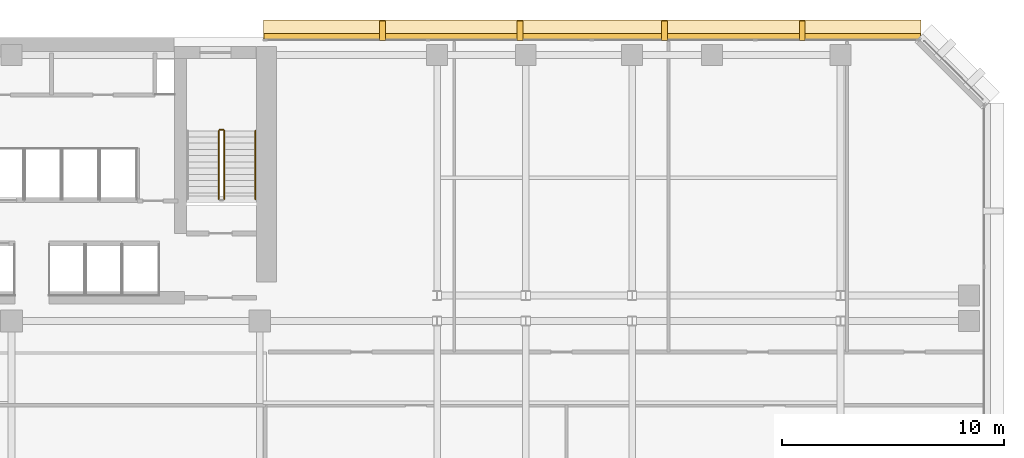
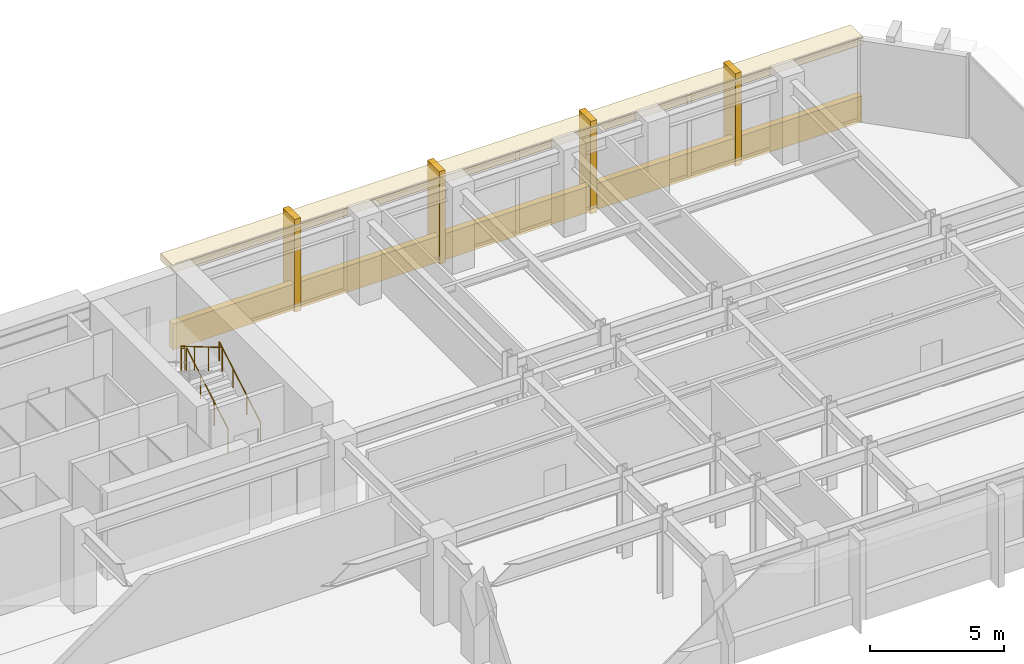
# One storey, part 12 of 13: 6 coverings, 4 railings.
"""IFC4 building model written with IfcOpenShell, lengths in metres."""

from ifc_helpers import new_model, si_unit, direction, frame, origin, origin_2d, place, context, subcontext, project, spatial, rectangle, circle, extrude, material, layer, layer_set, type_object, element, save


model = new_model("IFC4")

# Units and contexts
model_context = context("Model", 3, precision=1e-05, world=origin(), true_north=direction((0.0, 1.0)))
body_context = subcontext(model_context, "Body", "Model", "MODEL_VIEW")
ifc_project = project(units=[si_unit("LENGTHUNIT", "METRE"), si_unit("AREAUNIT", "SQUARE_METRE"), si_unit("VOLUMEUNIT", "CUBIC_METRE"), si_unit("PLANEANGLEUNIT", "RADIAN"), si_unit("MASSUNIT", "GRAM", prefix="KILO")], contexts=[model_context])

# Site, building, storey
site_placement = place(None, origin())
site = spatial("IfcSite", under=ifc_project, at=site_placement, CompositionType="ELEMENT")
building_placement = place(site_placement, origin())
building = spatial("IfcBuilding", under=site, at=building_placement, Name="Kefirva Bronze Tower", CompositionType="ELEMENT")
storey_placement = place(building_placement, frame((0.0, 0.0, 98.669921875)))
storey = spatial("IfcBuildingStorey", under=building, at=storey_placement, Name="L23", CompositionType="ELEMENT", Elevation=98.669921875)

# Covering
ifc_material_1 = material(Name="Bronze anodised aluminium", Category="aluminium")
ifc_layer_1 = layer(ifc_material_1, 0.02001953125, Name="Bronze anodised aluminium")
ifc_layer_set_1 = layer_set([ifc_layer_1], Name="Bronze anodised aluminium")
covering_type_1 = type_object("IfcCoveringType", Name="Anodised Bronze Spandrel Cladding 20mm", PredefinedType="CLADDING", material=ifc_layer_set_1)
covering_1_placement = place(storey_placement, frame((38.202392578125, 46.0400390625, -0.15966796875), z_axis=(0.0, 0.0, 1.0), x_axis=(-1.0, 0.0, 0.0)))
element("IfcCovering", 1, at=covering_1_placement, inside=storey, type_object=covering_type_1, Name="L23 Streamline Horizontal Spandrel Band 8", PredefinedType="CLADDING", context=body_context, shape_type="SweptSolid", body=[
    extrude(rectangle(XDim=29.635009765625, YDim=0.280029296875, at=origin_2d()), origin(), (0.0, 0.0, 1.0), 1.179931640625),
])

# Railings
ifc_material_2 = material(Name="Stainless steel 316", Category="steel")
railing_type_1 = type_object("IfcRailingType", Name="Interior Stair Guardrail 1100mm", PredefinedType="GUARDRAIL", material=ifc_material_2)
railing_1_placement = place(storey_placement, frame((21.60009765625, 38.699951171875, 0.1650390625)))
element("IfcRailing", 2, at=railing_1_placement, inside=storey, type_object=railing_type_1, Name="L23 ST-2 stair guard 1", PredefinedType="GUARDRAIL", context=body_context, shape_type="SweptSolid", body=[
    extrude(circle(Radius=0.02392578125, at=origin_2d()), frame((0.0, 0.0, 1.076171875), z_axis=(0.0, 0.861551262678, 0.507670583921), x_axis=(-1.0, 0.0, 0.0)), (0.0, 0.0, 1.0), 3.574951171875),
    extrude(circle(Radius=0.02099609375, at=origin_2d()), origin(), (0.0, 0.0, 1.0), 1.052001953125),
    extrude(circle(Radius=0.02099609375, at=origin_2d()), frame((0.0, 1.026611328125, 0.60498046875)), (0.0, 0.0, 1.0), 1.052001953125),
    extrude(circle(Radius=0.02099609375, at=origin_2d()), frame((0.0, 2.053466796875, 1.2099609375)), (0.0, 0.0, 1.0), 1.052001953125),
    extrude(circle(Radius=0.02099609375, at=origin_2d()), frame((0.0, 3.080078125, 1.81494140625)), (0.0, 0.0, 1.0), 1.052001953125),
])
railing_2_placement = place(storey_placement, frame((21.550048828125, 41.830078125, 1.97998046875)))
element("IfcRailing", 3, at=railing_2_placement, inside=storey, type_object=railing_type_1, Name="L23 ST-2 stair guard 2", PredefinedType="GUARDRAIL", context=body_context, shape_type="SweptSolid", body=[
    extrude(circle(Radius=0.02392578125, at=origin_2d()), frame((0.0, 0.0, 1.076171875), z_axis=(-1.0, 0.0, 0.0), x_axis=(0.0, -1.0, 0.0)), (0.0, 0.0, 1.0), 0.150146484375),
    extrude(circle(Radius=0.02099609375, at=origin_2d()), origin(), (0.0, 0.0, 1.0), 1.052001953125),
    extrude(circle(Radius=0.02099609375, at=origin_2d()), frame((-0.150146484375, 0.0, 0.0)), (0.0, 0.0, 1.0), 1.052001953125),
])
railing_3_placement = place(storey_placement, frame((21.35009765625, 41.780029296875, 2.14501953125)))
element("IfcRailing", 4, at=railing_3_placement, inside=storey, type_object=railing_type_1, Name="L23 ST-2 stair guard 3", PredefinedType="GUARDRAIL", context=body_context, shape_type="SweptSolid", body=[
    extrude(circle(Radius=0.02392578125, at=origin_2d()), frame((0.0, 0.0, 1.076171875), z_axis=(0.0, -0.861551262678, 0.507670583921), x_axis=(1.0, 0.0, 0.0)), (0.0, 0.0, 1.0), 3.574951171875),
    extrude(circle(Radius=0.02099609375, at=origin_2d()), origin(), (0.0, 0.0, 1.0), 1.052001953125),
    extrude(circle(Radius=0.02099609375, at=origin_2d()), frame((0.0, -1.026611328125, 0.60498046875)), (0.0, 0.0, 1.0), 1.052001953125),
    extrude(circle(Radius=0.02099609375, at=origin_2d()), frame((0.0, -2.053466796875, 1.2099609375)), (0.0, 0.0, 1.0), 1.052001953125),
    extrude(circle(Radius=0.02099609375, at=origin_2d()), frame((0.0, -3.080078125, 1.81494140625)), (0.0, 0.0, 1.0), 1.052001953125),
])
railing_type_2 = type_object("IfcRailingType", Name="Stair Pitch Handrail 900mm", PredefinedType="HANDRAIL", material=ifc_material_2)
railing_4_placement = place(storey_placement, frame((23.0, 38.699951171875, 0.1650390625)))
element("IfcRailing", 5, at=railing_4_placement, inside=storey, type_object=railing_type_2, Name="L23 ST-2 stair handrail 1", PredefinedType="HANDRAIL", context=body_context, shape_type="SweptSolid", body=[
    extrude(circle(Radius=0.02392578125, at=origin_2d()), frame((0.0, 0.0, 0.8759765625), z_axis=(0.0, 0.861551262678, 0.507670583921), x_axis=(-1.0, 0.0, 0.0)), (0.0, 0.0, 1.0), 3.574951171875),
    extrude(circle(Radius=0.02099609375, at=origin_2d()), origin(), (0.0, 0.0, 1.0), 0.851806640625),
    extrude(circle(Radius=0.02099609375, at=origin_2d()), frame((0.0, 1.026611328125, 0.60498046875)), (0.0, 0.0, 1.0), 0.851806640625),
    extrude(circle(Radius=0.02099609375, at=origin_2d()), frame((0.0, 2.053466796875, 1.2099609375)), (0.0, 0.0, 1.0), 0.851806640625),
    extrude(circle(Radius=0.02099609375, at=origin_2d()), frame((0.0, 3.080078125, 1.81494140625)), (0.0, 0.0, 1.0), 0.851806640625),
])

# Coverings
ifc_layer_2 = layer(ifc_material_1, 0.179931640625, Name="Bronze anodised aluminium")
ifc_layer_set_2 = layer_set([ifc_layer_2], Name="Bronze anodised aluminium")
covering_type_2 = type_object("IfcCoveringType", Name="Streamline Bronze Sunshade Eyebrow Cladding 180mm", PredefinedType="CLADDING", material=ifc_layer_set_2)
covering_2_placement = place(storey_placement, frame((38.202392578125, 46.31005859375, 3.39013671875), z_axis=(0.0, 0.0, 1.0), x_axis=(-1.0, 0.0, 0.0)))
element("IfcCovering", 6, at=covering_2_placement, inside=storey, type_object=covering_type_2, Name="L23 Streamline Bronze Sunshade Eyebrow 8", PredefinedType="CLADDING", context=body_context, shape_type="SweptSolid", body=[
    extrude(rectangle(XDim=29.675048828125, YDim=0.93994140625, at=origin_2d()), origin(), (0.0, 0.0, 1.0), 0.320068359375),
])
ifc_layer_3 = layer(ifc_material_1, 0.260009765625, Name="Bronze anodised aluminium")
ifc_layer_set_3 = layer_set([ifc_layer_3], Name="Bronze anodised aluminium")
covering_type_3 = type_object("IfcCoveringType", Name="Unbroken Bronze Buttress Fin Cladding 260mm", PredefinedType="CLADDING", material=ifc_layer_set_3)
for number, where, z_axis, x_axis, name in (
    (7, (47.6728515625, 46.300048828125, -0.25), (0.0, 0.0, 1.0), (-1.0, 0.0, 0.0), "L23 Unbroken Vertical Bronze Rib Fin 19"),
    (8, (41.4580078125, 46.300048828125, -0.25), (0.0, 0.0, 1.0), (-1.0, 0.0, 0.0), "L23 Unbroken Vertical Bronze Rib Fin 20"),
    (9, (34.947021484375, 46.300048828125, -0.25), (0.0, 0.0, 1.0), (-1.0, 0.0, 0.0), "L23 Unbroken Vertical Bronze Rib Fin 21"),
    (10, (28.732177734375, 46.300048828125, -0.25), (0.0, 0.0, 1.0), (-1.0, 0.0, 0.0), "L23 Unbroken Vertical Bronze Rib Fin 22"),
):
    element("IfcCovering", number, at=place(storey_placement, frame(where, z_axis=z_axis, x_axis=x_axis)), inside=storey, type_object=covering_type_3, Name=name, PredefinedType="CLADDING", context=body_context, shape_type="SweptSolid", body=[
        extrude(rectangle(XDim=0.260009765625, YDim=0.8798828125, at=origin_2d()), origin(), (0.0, 0.0, 1.0), 4.2099609375),
    ])

save(model, "model.ifc")
